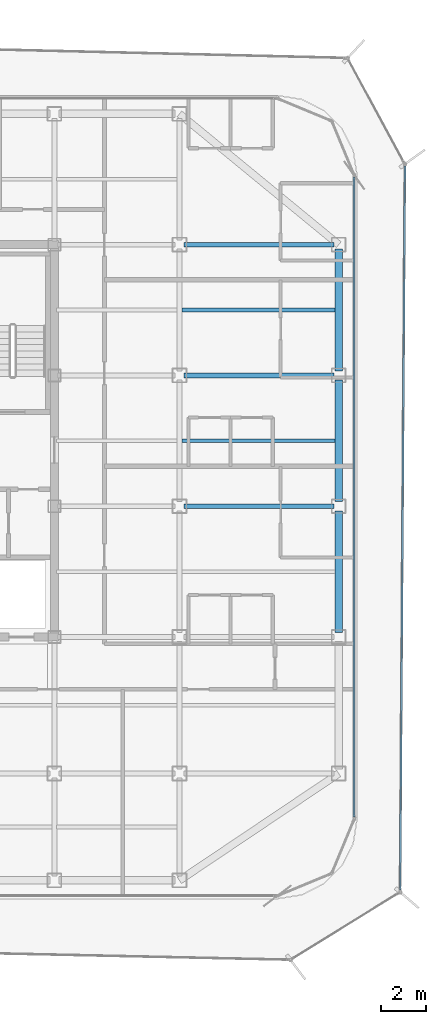
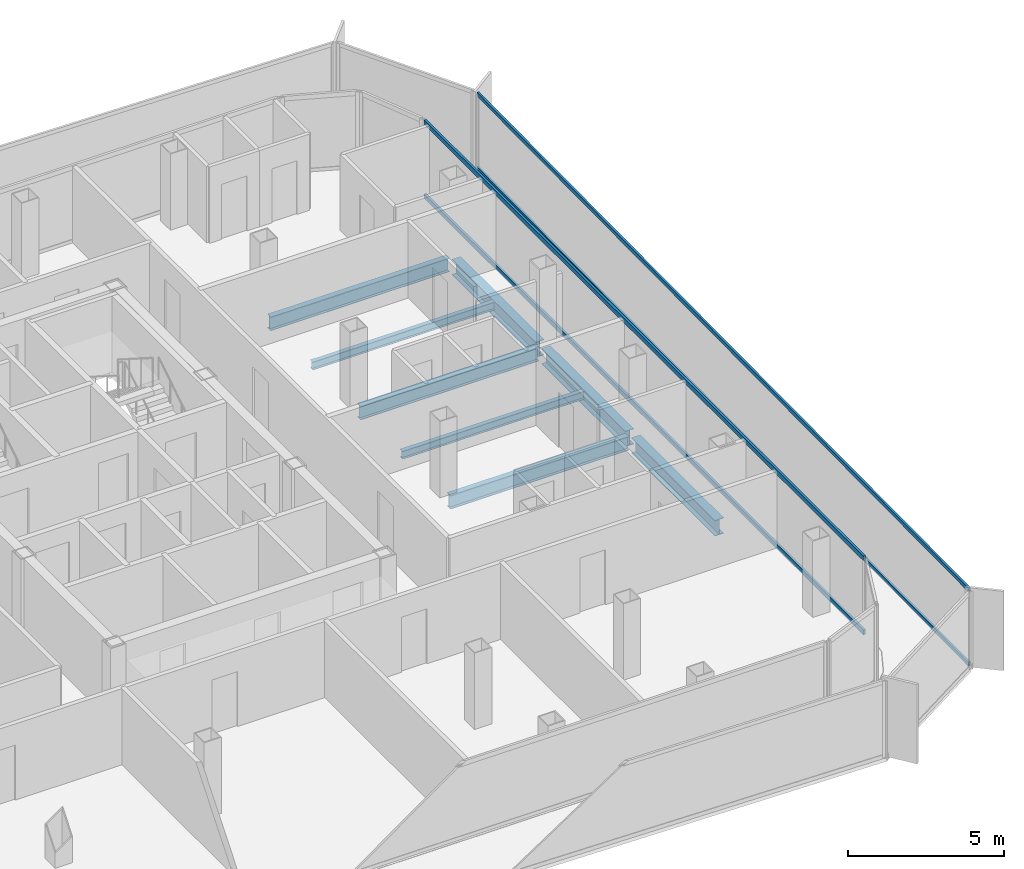
# One storey, part 5 of 15: 8 beams, 4 members, 2 elements without a shape of their own.
"""IFC4 building model written with IfcOpenShell, lengths in metres."""

from ifc_helpers import new_model, si_unit, direction, frame, origin, origin_2d, place, context, subcontext, project, spatial, hollow_rectangle, i_section, extrude, source, transform, mapped, material, layer, layer_set, material_profile, profile_set, type_object, element, aggregate, save


model = new_model("IFC4")

# Units and contexts
model_context = context("Model", 3, precision=1e-05, world=origin(), true_north=direction((0.0, 1.0)))
body_context = subcontext(model_context, "Body", "Model", "MODEL_VIEW")
ifc_project = project(units=[si_unit("LENGTHUNIT", "METRE"), si_unit("AREAUNIT", "SQUARE_METRE"), si_unit("VOLUMEUNIT", "CUBIC_METRE"), si_unit("PLANEANGLEUNIT", "RADIAN"), si_unit("MASSUNIT", "GRAM", prefix="KILO")], contexts=[model_context])

# Site, building, storey
site_placement = place(None, origin())
site = spatial("IfcSite", under=ifc_project, at=site_placement, CompositionType="ELEMENT")
building_placement = place(site_placement, origin())
building = spatial("IfcBuilding", under=site, at=building_placement, Name="Kolveth Station Tower", CompositionType="ELEMENT")
storey_placement = place(building_placement, frame((0.0, 0.0, 248.89990234375)))
storey = spatial("IfcBuildingStorey", under=building, at=storey_placement, Name="L71", CompositionType="ELEMENT", Elevation=248.89990234375)

# Beams
ifc_material_1 = material(Name="Steel S355", Category="steel")
ifc_material_profile_1 = material_profile(ifc_material_1, i_section(OverallWidth=0.323974609375, OverallDepth=0.611083984375, WebThickness=0.0126953125, FlangeThickness=0.01904296875, at=origin_2d()), Name="W610x155")
ifc_profile_set_1 = profile_set([ifc_material_profile_1], Name="Steel S355")
beam_type_1 = type_object("IfcBeamType", Name="Beam_SP2", PredefinedType="SPANDREL", material=ifc_profile_set_1)
shared_shape_1 = source(origin(), body_context, "Body", "SweptSolid", [
    extrude(i_section(OverallWidth=0.323974609375, OverallDepth=0.611083984375, WebThickness=0.0126953125, FlangeThickness=0.01904296875, at=origin_2d()), origin(), (0.0, 0.0, 1.0), 5.35009765625),
])
for number, where, z_axis, x_axis, name in (
    (1, (41.0, 11.699951171875, -0.525390625), (0.0, 1.0, 0.0), (-1.0, 0.0, 0.0), "L71 Perimeter Spandrel BM-L71-PE-2"),
    (2, (41.0, 17.449951171875, -0.525390625), (0.0, 1.0, 0.0), (-1.0, 0.0, 0.0), "L71 Perimeter Spandrel BM-L71-PE-3"),
    (3, (41.0, 23.199951171875, -0.525390625), (0.0, 1.0, 0.0), (-1.0, 0.0, 0.0), "L71 Perimeter Spandrel BM-L71-PE-4"),
):
    element("IfcBeam", number, at=place(storey_placement, frame(where, z_axis=z_axis, x_axis=x_axis)), inside=storey, type_object=beam_type_1, Name=name, PredefinedType="SPANDREL", context=body_context, shape_type="MappedRepresentation", body=[
        mapped(shared_shape_1, transform((0.0, 0.0, 0.0), x_axis=(1.0, 0.0, 0.0), y_axis=(0.0, 1.0, 0.0), z_axis=(0.0, 0.0, 1.0), scale=1.0)),
    ])
ifc_material_profile_2 = material_profile(ifc_material_1, i_section(OverallWidth=0.2099609375, OverallDepth=0.537109375, WebThickness=0.010986328125, FlangeThickness=0.017333984375, at=origin_2d()), Name="W530x101")
ifc_profile_set_2 = profile_set([ifc_material_profile_2], Name="Steel S355")
beam_type_2 = type_object("IfcBeamType", Name="Beam_B6", PredefinedType="BEAM", material=ifc_profile_set_2)
shared_shape_2 = source(origin(), body_context, "Body", "SweptSolid", [
    extrude(i_section(OverallWidth=0.2099609375, OverallDepth=0.537109375, WebThickness=0.010986328125, FlangeThickness=0.017333984375, at=origin_2d()), origin(), (0.0, 0.0, 1.0), 6.60009765625),
])
for number, where, z_axis, x_axis, name in (
    (4, (34.199951171875, 17.25, -0.48828125), (1.0, 0.0, 0.0), (0.0, 1.0, 0.0), "L71 Primary Girder BM-L71-GY172-5"),
    (5, (34.199951171875, 23.0, -0.48828125), (1.0, 0.0, 0.0), (0.0, 1.0, 0.0), "L71 Primary Girder BM-L71-GY230-5"),
    (6, (34.199951171875, 28.75, -0.48828125), (1.0, 0.0, 0.0), (0.0, 1.0, 0.0), "L71 Primary Girder BM-L71-GY287-5"),
):
    element("IfcBeam", number, at=place(storey_placement, frame(where, z_axis=z_axis, x_axis=x_axis)), inside=storey, type_object=beam_type_2, Name=name, PredefinedType="BEAM", context=body_context, shape_type="MappedRepresentation", body=[
        mapped(shared_shape_2, transform((0.0, 0.0, 0.0), x_axis=(1.0, 0.0, 0.0), y_axis=(0.0, 1.0, 0.0), z_axis=(0.0, 0.0, 1.0), scale=1.0)),
    ])
ifc_material_profile_3 = material_profile(ifc_material_1, i_section(OverallWidth=0.1650390625, OverallDepth=0.31005859375, WebThickness=0.005859375, FlangeThickness=0.009765625, at=origin_2d()), Name="W310x39")
ifc_profile_set_3 = profile_set([ifc_material_profile_3], Name="Steel S355")
beam_type_3 = type_object("IfcBeamType", Name="Beam_J3", PredefinedType="JOIST", material=ifc_profile_set_3)
shared_shape_3 = source(origin(), body_context, "Body", "SweptSolid", [
    extrude(i_section(OverallWidth=0.1650390625, OverallDepth=0.31005859375, WebThickness=0.005859375, FlangeThickness=0.009765625, at=origin_2d()), origin(), (0.0, 0.0, 1.0), 6.737060546875),
])
for number, where, z_axis, x_axis, name in (
    (7, (34.10302734375, 20.125, -0.375), (1.0, 0.0, 0.0), (0.0, 1.0, 0.0), "L71 Secondary Joist JST-L71-5-4"),
    (8, (34.10302734375, 25.875, -0.375), (1.0, 0.0, 0.0), (0.0, 1.0, 0.0), "L71 Secondary Joist JST-L71-5-5"),
):
    element("IfcBeam", number, at=place(storey_placement, frame(where, z_axis=z_axis, x_axis=x_axis)), inside=storey, type_object=beam_type_3, Name=name, PredefinedType="JOIST", context=body_context, shape_type="MappedRepresentation", body=[
        mapped(shared_shape_3, transform((0.0, 0.0, 0.0), x_axis=(1.0, 0.0, 0.0), y_axis=(0.0, 1.0, 0.0), z_axis=(0.0, 0.0, 1.0), scale=1.0)),
    ])

# Curtain wall, members
ifc_material_2 = material(Name="Aluminium 6063-T6 and triple low-E dark glass", Category="aluminium")
ifc_layer_1 = layer(ifc_material_2, 0.199951171875)
ifc_layer_set_1 = layer_set([ifc_layer_1], Name="Aluminium 6063-T6 and triple low-E dark glass")
curtain_wall_type_1 = type_object("IfcCurtainWallType", Name="CurtainWall_CW-Z3", PredefinedType="NOTDEFINED", material=ifc_layer_set_1)
curtain_wall_1_placement = place(storey_placement, origin())
curtain_wall_1 = element("IfcCurtainWall", 9, at=curtain_wall_1_placement, inside=storey, type_object=curtain_wall_type_1, Name="L71 Inner Thermal Curtain Wall 3", PredefinedType="NOTDEFINED")
ifc_material_3 = material(Name="Black anodized aluminium 6063-T6", Category="aluminium")
ifc_material_profile_4 = material_profile(ifc_material_3, hollow_rectangle(XDim=0.0849609375, YDim=0.179931640625, WallThickness=0.0048828125, at=origin_2d()), Name="ALU-85x180x5")
ifc_profile_set_4 = profile_set([ifc_material_profile_4], Name="Black anodized aluminium 6063-T6")
member_type_1 = type_object("IfcMemberType", Name="Transom_TR3", PredefinedType="USERDEFINED", material=ifc_profile_set_4)
shared_shape_4 = source(origin(), body_context, "Body", "SweptSolid", [
    extrude(hollow_rectangle(XDim=0.0849609375, YDim=0.179931640625, WallThickness=0.0048828125, at=origin_2d()), origin(), (0.0, 0.0, 1.0), 28.130126953125),
])
member_1_placement = place(storey_placement, frame((41.679931640625, 3.5849609375, 0.04248046875), z_axis=(0.0, 1.0, 0.0), x_axis=(-1.0, 0.0, 0.0)))
member_1 = element("IfcMember", 10, at=member_1_placement, type_object=member_type_1, Name="CW-Z3 transom 1.1", ObjectType="TRANSOM", PredefinedType="USERDEFINED", context=body_context, shape_type="MappedRepresentation", body=[
    mapped(shared_shape_4, transform((0.0, 0.0, 0.0), x_axis=(1.0, 0.0, 0.0), y_axis=(0.0, 1.0, 0.0), z_axis=(0.0, 0.0, 1.0), scale=1.0)),
])
member_2_placement = place(storey_placement, frame((41.679931640625, 3.5849609375, 2.9375), z_axis=(0.0, 1.0, 0.0), x_axis=(-1.0, 0.0, 0.0)))
member_2 = element("IfcMember", 11, at=member_2_placement, type_object=member_type_1, Name="CW-Z3 transom 1.2", ObjectType="TRANSOM", PredefinedType="USERDEFINED", context=body_context, shape_type="MappedRepresentation", body=[
    mapped(shared_shape_4, transform((0.0, 0.0, 0.0), x_axis=(1.0, 0.0, 0.0), y_axis=(0.0, 1.0, 0.0), z_axis=(0.0, 0.0, 1.0), scale=1.0)),
])
aggregate(curtain_wall_1, [member_1, member_2])

ifc_material_4 = material(Name="Black anodized aluminium 6063-T6 and dark solar glass", Category="aluminium")
ifc_layer_2 = layer(ifc_material_4, 0.159912109375)
ifc_layer_set_2 = layer_set([ifc_layer_2], Name="Black anodized aluminium 6063-T6 and dark solar glass")
curtain_wall_type_2 = type_object("IfcCurtainWallType", Name="OUTER SKIN CW-OS", PredefinedType="NOTDEFINED", material=ifc_layer_set_2)
curtain_wall_2_placement = place(storey_placement, origin())
curtain_wall_2 = element("IfcCurtainWall", 12, at=curtain_wall_2_placement, inside=storey, type_object=curtain_wall_type_2, Name="L71 Outer Ventilated Skin Curtain Wall 2", PredefinedType="NOTDEFINED")
ifc_material_profile_5 = material_profile(ifc_material_3, hollow_rectangle(XDim=0.080078125, YDim=0.14990234375, WallThickness=0.0048828125, at=origin_2d()), Name="ALU-80x150x5")
ifc_profile_set_5 = profile_set([ifc_material_profile_5], Name="Black anodized aluminium 6063-T6")
member_type_2 = type_object("IfcMemberType", Name="Transom_TR-OS", PredefinedType="USERDEFINED", material=ifc_profile_set_5)
shared_shape_5 = source(origin(), body_context, "Body", "SweptSolid", [
    extrude(hollow_rectangle(XDim=0.080078125, YDim=0.14990234375, WallThickness=0.0048828125, at=origin_2d()), origin(), (0.0, 0.0, 1.0), 31.827392578125),
])
member_3_placement = place(storey_placement, frame((43.701416015625, 0.37548828125, 0.0400390625), z_axis=(0.006581530024, 0.999978341497, 0.0), x_axis=(-0.999978341497, 0.006581530024, 0.0)))
member_3 = element("IfcMember", 13, at=member_3_placement, type_object=member_type_2, Name="CW-OS transom 1.1", ObjectType="TRANSOM", PredefinedType="USERDEFINED", context=body_context, shape_type="MappedRepresentation", body=[
    mapped(shared_shape_5, transform((0.0, 0.0, 0.0), x_axis=(1.0, 0.0, 0.0), y_axis=(0.0, 1.0, 0.0), z_axis=(0.0, 0.0, 1.0), scale=1.0)),
])
member_4_placement = place(storey_placement, frame((43.701416015625, 0.37548828125, 2.9501953125), z_axis=(0.006581530024, 0.999978341497, 0.0), x_axis=(-0.999978341497, 0.006581530024, 0.0)))
member_4 = element("IfcMember", 14, at=member_4_placement, type_object=member_type_2, Name="CW-OS transom 1.2", ObjectType="TRANSOM", PredefinedType="USERDEFINED", context=body_context, shape_type="MappedRepresentation", body=[
    mapped(shared_shape_5, transform((0.0, 0.0, 0.0), x_axis=(1.0, 0.0, 0.0), y_axis=(0.0, 1.0, 0.0), z_axis=(0.0, 0.0, 1.0), scale=1.0)),
])
aggregate(curtain_wall_2, [member_3, member_4])

save(model, "model.ifc")
